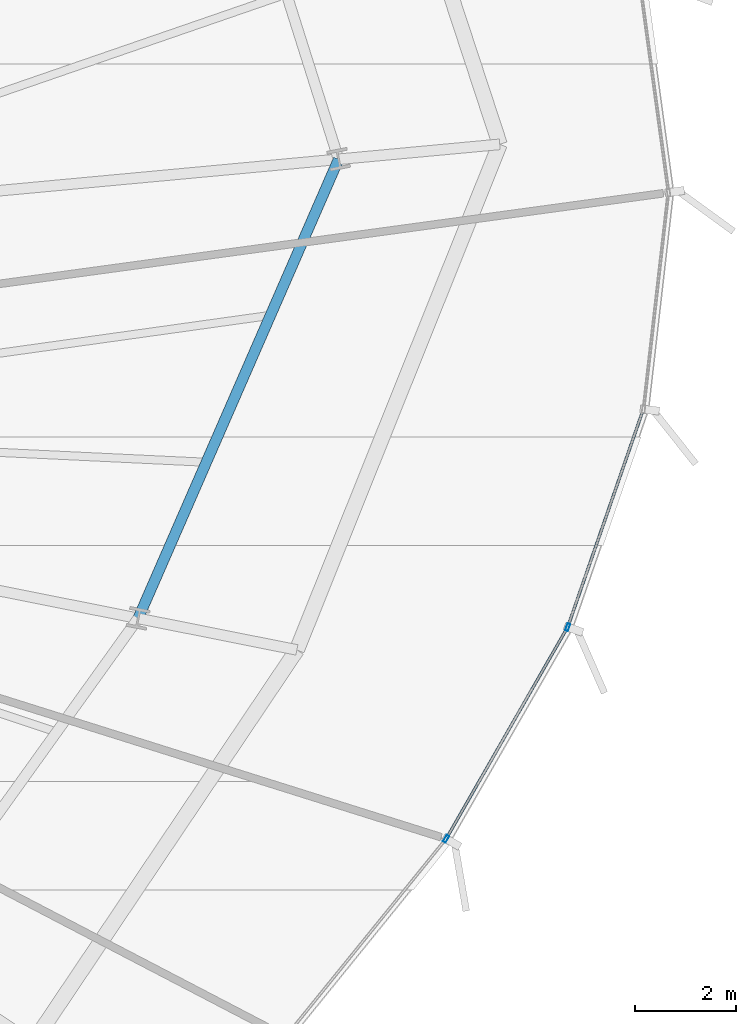
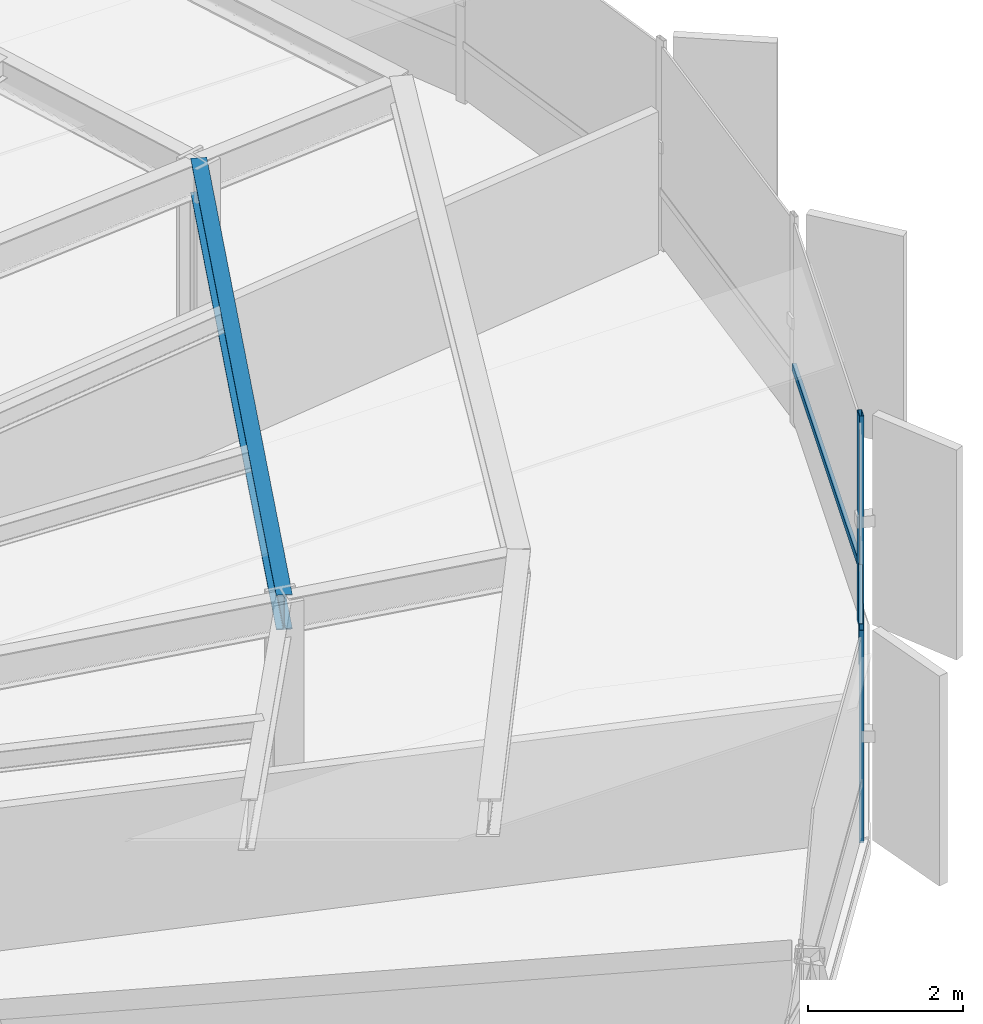
# One storey, part 15 of 35: 4 members, 1 beam, 1 element without a shape of its own.
"""IFC4 building model written with IfcOpenShell, lengths in metres."""

from ifc_helpers import new_model, si_unit, direction, frame, origin, origin_2d, place, context, subcontext, project, spatial, hollow_rectangle, i_section, extrude, source, transform, mapped, material, layer, layer_set, material_profile, profile_set, type_object, element, aggregate, save


model = new_model("IFC4")

# Units and contexts
model_context = context("Model", 3, precision=1e-05, world=origin(), true_north=direction((0.0, 1.0)))
body_context = subcontext(model_context, "Body", "Model", "MODEL_VIEW")
ifc_project = project(units=[si_unit("LENGTHUNIT", "METRE"), si_unit("AREAUNIT", "SQUARE_METRE"), si_unit("VOLUMEUNIT", "CUBIC_METRE"), si_unit("PLANEANGLEUNIT", "RADIAN"), si_unit("MASSUNIT", "GRAM", prefix="KILO"), si_unit("THERMODYNAMICTEMPERATUREUNIT", "KELVIN")], contexts=[model_context])

# Site, building, storey
site_placement = place(None, origin())
site = spatial("IfcSite", under=ifc_project, at=site_placement, CompositionType="ELEMENT")
building_placement = place(site_placement, origin())
building = spatial("IfcBuilding", under=site, at=building_placement, Name="Kethvar Cultural Tower", CompositionType="ELEMENT")
storey_placement = place(building_placement, frame((0.0, 0.0, 96.39990234375)))
storey = spatial("IfcBuildingStorey", under=building, at=storey_placement, Name="L23", CompositionType="ELEMENT", Elevation=96.39990234375)

# Beam
ifc_material_1 = material(Name="Steel S355J2", Category="steel")
ifc_material_profile_1 = material_profile(ifc_material_1, i_section(OverallWidth=0.2099609375, OverallDepth=0.550048828125, WebThickness=0.010986328125, FlangeThickness=0.01708984375, FilletRadius=0.02392578125, at=origin_2d()), Name="Steel S355J2 — IPE550")
ifc_profile_set_1 = profile_set([ifc_material_profile_1], Name="Steel S355J2 — IPE550")
beam_type = type_object("IfcBeamType", Name="BM-IPE550", PredefinedType="BEAM", material=ifc_profile_set_1)
shared_shape_1 = source(origin(), body_context, "Body", "SweptSolid", [
    extrude(i_section(OverallWidth=0.2099609375, OverallDepth=0.550048828125, WebThickness=0.010986328125, FlangeThickness=0.01708984375, FilletRadius=0.02392578125, at=origin_2d()), origin(), (0.0, 0.0, 1.0), 9.90625),
])
beam_placement = place(storey_placement, frame((67.638671875, 23.65478515625, 3.072998046875), z_axis=(0.400138679026, 0.916454602011, 0.0), x_axis=(-0.916454602011, 0.400138679026, 0.0)))
element("IfcBeam", 1, at=beam_placement, inside=storey, type_object=beam_type, Name="L23 Column Ring Tie Beam CR-16", PredefinedType="BEAM", context=body_context, shape_type="MappedRepresentation", body=[
    mapped(shared_shape_1, transform((0.0, 0.0, 0.0), scale=1.0)),
])

# Curtain wall, members
ifc_material_2 = material(Name="Aluminium 6063-T6", Category="aluminium")
ifc_layer = layer(ifc_material_2, 0.179931640625, Name="Aluminium 6063-T6", Category="aluminium")
ifc_layer_set = layer_set([ifc_layer], Name="Aluminium 6063-T6 (180 mm)")
curtain_wall_type = type_object("IfcCurtainWallType", Name="CW-SYS-03-Z2", PredefinedType="NOTDEFINED", material=ifc_layer_set)
curtain_wall_placement = place(storey_placement, origin())
curtain_wall = element("IfcCurtainWall", 2, at=curtain_wall_placement, inside=storey, type_object=curtain_wall_type, Name="L23 Curtain Wall Run 06", PredefinedType="NOTDEFINED")
ifc_material_profile_2 = material_profile(ifc_material_2, hollow_rectangle(XDim=0.06005859375, YDim=0.14990234375, WallThickness=0.0048828125, at=origin_2d()), Name="Aluminium 6063-T6 — RHS150x60x5")
ifc_profile_set_2 = profile_set([ifc_material_profile_2], Name="Aluminium 6063-T6 — RHS150x60x5")
member_type_1 = type_object("IfcMemberType", Name="CW-SYS-03-Z2-MUL", PredefinedType="MULLION", material=ifc_profile_set_2)
shared_shape_2 = source(origin(), body_context, "Body", "SweptSolid", [
    extrude(hollow_rectangle(XDim=0.06005859375, YDim=0.14990234375, WallThickness=0.0048828125, at=origin_2d()), origin(), (0.0, 0.0, 1.0), 3.35009765625),
])
member_1_placement = place(storey_placement, frame((73.7294921875, 19.295654296875, 0.0), z_axis=(0.0, 0.0, 1.0), x_axis=(-0.867366177476, 0.497670487543, 0.0)))
member_1 = element("IfcMember", 3, at=member_1_placement, type_object=member_type_1, Name="CW-L23-R06 Mullion 3", PredefinedType="MULLION", context=body_context, shape_type="MappedRepresentation", body=[
    mapped(shared_shape_2, transform((0.0, 0.0, 0.0), scale=1.0)),
])
member_2_placement = place(storey_placement, frame((76.133056640625, 23.48046875, 0.0), z_axis=(0.0, 0.0, 1.0), x_axis=(-0.944703071788, 0.327926982962, 0.0)))
member_2 = element("IfcMember", 4, at=member_2_placement, type_object=member_type_1, Name="CW-L23-R06 Mullion 4", PredefinedType="MULLION", context=body_context, shape_type="MappedRepresentation", body=[
    mapped(shared_shape_2, transform((0.0, 0.0, 0.0), scale=1.0)),
])
ifc_material_profile_3 = material_profile(ifc_material_2, hollow_rectangle(XDim=0.054931640625, YDim=0.1201171875, WallThickness=0.00390625, at=origin_2d()), Name="Aluminium 6063-T6 — RHS120x55x4")
ifc_profile_set_3 = profile_set([ifc_material_profile_3], Name="Aluminium 6063-T6 — RHS120x55x4")
member_type_2 = type_object("IfcMemberType", Name="CW-SYS-03-Z2-TRN", PredefinedType="USERDEFINED", material=ifc_profile_set_3)
shared_shape_3 = source(origin(), body_context, "Body", "SweptSolid", [
    extrude(hollow_rectangle(XDim=0.054931640625, YDim=0.1201171875, WallThickness=0.00390625, at=origin_2d()), origin(), (0.0, 0.0, 1.0), 4.760986328125),
])
member_3_placement = place(storey_placement, frame((73.7509765625, 19.3330078125, 0.9501953125), z_axis=(0.497656808785, 0.867374025822, 0.0), x_axis=(-0.867374025822, 0.497656808785, 0.0)))
member_3 = element("IfcMember", 5, at=member_3_placement, type_object=member_type_2, Name="CW-L23-R06 Transom 3", ObjectType="TRANSOM", PredefinedType="USERDEFINED", context=body_context, shape_type="MappedRepresentation", body=[
    mapped(shared_shape_3, transform((0.0, 0.0, 0.0), scale=1.0)),
])
shared_shape_4 = source(origin(), body_context, "Body", "SweptSolid", [
    extrude(hollow_rectangle(XDim=0.054931640625, YDim=0.1201171875, WallThickness=0.00390625, at=origin_2d()), origin(), (0.0, 0.0, 1.0), 4.500244140625),
])
member_4_placement = place(storey_placement, frame((76.147216796875, 23.521240234375, 0.9501953125), z_axis=(0.327889307667, 0.94471614886, 0.0), x_axis=(-0.94471614886, 0.327889307667, 0.0)))
member_4 = element("IfcMember", 6, at=member_4_placement, type_object=member_type_2, Name="CW-L23-R06 Transom 4", ObjectType="TRANSOM", PredefinedType="USERDEFINED", context=body_context, shape_type="MappedRepresentation", body=[
    mapped(shared_shape_4, transform((0.0, 0.0, 0.0), scale=1.0)),
])
aggregate(curtain_wall, [member_1, member_2, member_3, member_4])

save(model, "model.ifc")
